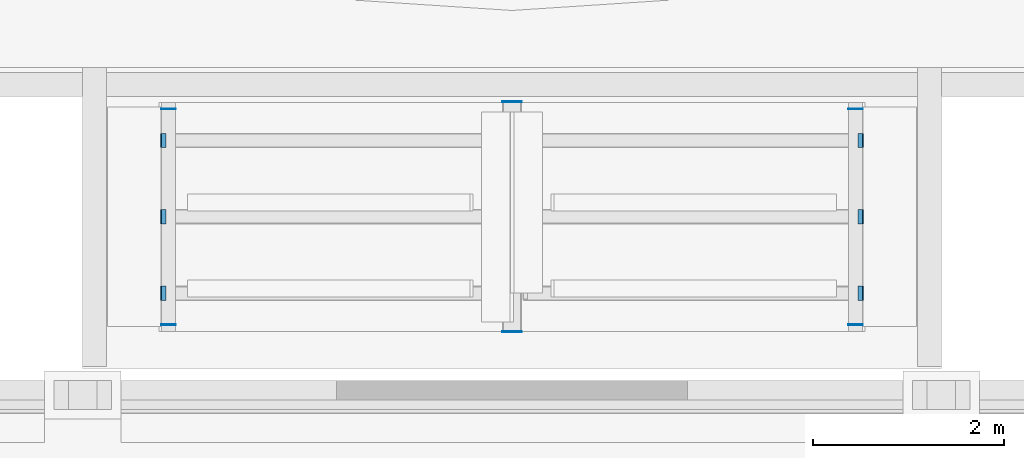
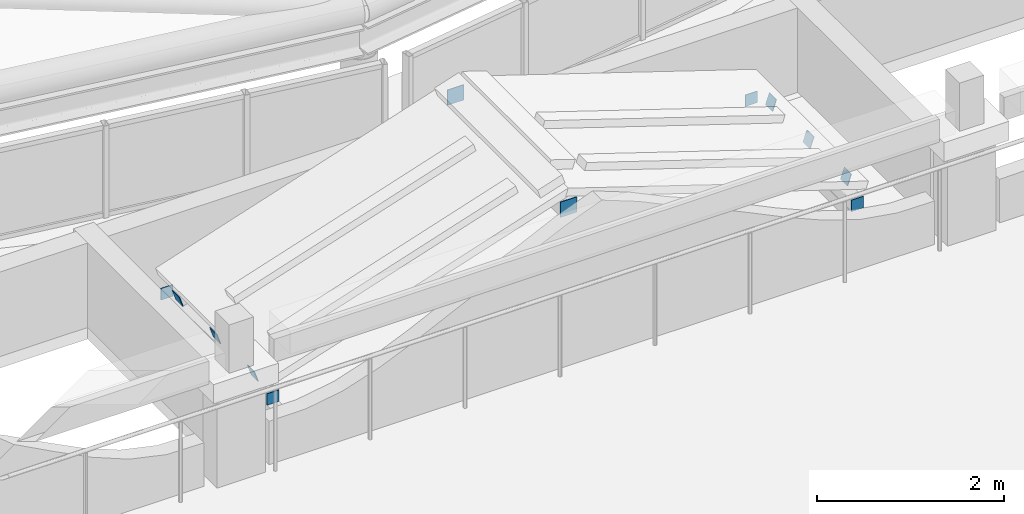
# One storey, part 60 of 69: 12 discrete accessories.
"""IFC4 building model written with IfcOpenShell, lengths in metres."""

import ifcopenshell
import ifcopenshell.guid

model = None  # the IFC model being written
_history = None  # IfcOwnerHistory: only IFC2X3 demands one
_inside = {}  # id of a spatial element -> (the spatial element, [elements in it])
_under = {}  # id of a project, library or spatial element -> (it, [spatial elements below it])
_declared = {}  # id of a project -> (the project, [libraries it declares])
_typed = {}  # id of a type object -> (the type object, [elements of that type])
_made_of = {}  # id of a material, layer set ... -> (it, [elements and type objects made of it])


def new_model(schema):
    """Start an empty IFC model of exactly this schema.

    Asked for "IFC4X3", IfcOpenShell would pick the latest addendum, in which some entities
    have other attributes; the version numbers below select the first issue.
    IFC2X3 requires an IfcOwnerHistory on every rooted entity: one is made here for all.
    """
    global model, _history
    if schema == "IFC4X3":
        model = ifcopenshell.file(schema_version=(4, 3, 0, 0))
    else:
        model = ifcopenshell.file(schema=schema)
    _inside.clear()
    _under.clear()
    _declared.clear()
    _typed.clear()
    _made_of.clear()
    _history = None
    if model.schema == "IFC2X3":
        org = make("IfcOrganization", Name="unknown")
        user = make(
            "IfcPersonAndOrganization",
            ThePerson=make("IfcPerson", FamilyName="unknown"),
            TheOrganization=org,
        )
        app = make(
            "IfcApplication",
            ApplicationDeveloper=org,
            Version="unknown",
            ApplicationFullName="unknown",
            ApplicationIdentifier="unknown",
        )
        _history = make(
            "IfcOwnerHistory",
            OwningUser=user,
            OwningApplication=app,
            ChangeAction="ADDED",
            CreationDate=0,
        )
    return model


def make(cls, **values):
    """One entity of the class cls with the attributes given. An attribute that is None is left unset."""
    return model.create_entity(
        cls, **{name: value for name, value in values.items() if value is not None}
    )


def rooted(cls, **values):
    """An entity with a GlobalId (a new one), such as an element, a storey or a relation."""
    return make(cls, GlobalId=ifcopenshell.guid.new(), OwnerHistory=_history, **values)


def si_unit(unit_type, name, prefix=None):
    """IfcSIUnit, for example si_unit("LENGTHUNIT", "METRE", prefix="MILLI")."""
    return make("IfcSIUnit", UnitType=unit_type, Prefix=prefix, Name=name)


def assignment(units):
    """IfcUnitAssignment: the units of a project."""
    return None if units is None else make("IfcUnitAssignment", Units=units)


def point(xyz):
    """IfcCartesianPoint."""
    return None if xyz is None else make("IfcCartesianPoint", Coordinates=xyz)


def direction(xyz):
    """IfcDirection."""
    return None if xyz is None else make("IfcDirection", DirectionRatios=xyz)


def frame(location, z_axis=None, x_axis=None):
    """IfcAxis2Placement3D, a coordinate frame: its origin and axes. An axis left out is left unset."""
    return make(
        "IfcAxis2Placement3D",
        Location=point(location),
        Axis=direction(z_axis),
        RefDirection=direction(x_axis),
    )


def frame_2d(location, x_axis=None):
    """IfcAxis2Placement2D, a coordinate frame in the plane: its origin and x axis."""
    return make(
        "IfcAxis2Placement2D", Location=point(location), RefDirection=direction(x_axis)
    )


def origin():
    """The frame at (0, 0, 0) with its axes left unset."""
    return frame((0.0, 0.0, 0.0))


def origin_2d():
    """The frame at (0, 0) in the plane with its x axis left unset."""
    return frame_2d((0.0, 0.0))


def place(relative_to, where):
    """IfcLocalPlacement: puts the frame where relative to a parent placement (None: the world)."""
    return make(
        "IfcLocalPlacement", PlacementRelTo=relative_to, RelativePlacement=where
    )


def context(
    kind, dimensions, precision=None, world=None, true_north=None, identifier=None
):
    """IfcGeometricRepresentationContext, for example the 3D "Model" context."""
    return make(
        "IfcGeometricRepresentationContext",
        ContextIdentifier=identifier,
        ContextType=kind,
        CoordinateSpaceDimension=dimensions,
        Precision=precision,
        WorldCoordinateSystem=world,
        TrueNorth=true_north,
    )


def subcontext(parent, identifier, kind, view, scale=None):
    """IfcGeometricRepresentationSubContext, for example "Body" below "Model"."""
    return make(
        "IfcGeometricRepresentationSubContext",
        ContextIdentifier=identifier,
        ContextType=kind,
        ParentContext=parent,
        TargetScale=scale,
        TargetView=view,
    )


def project(units=None, contexts=None):
    """IfcProject with its units and contexts."""
    return rooted(
        "IfcProject",
        Name="project",
        RepresentationContexts=contexts,
        UnitsInContext=assignment(units),
    )


def spatial(cls, under=None, at=None, **own):
    """A site, building, storey or space (cls), placed at a placement, below another one or the project."""
    s = rooted(cls, ObjectPlacement=at, **own)
    if under is not None:
        _under.setdefault(under.id(), (under, []))[1].append(s)
    return s


def profile(cls, at=None, kind="AREA", **sizes):
    """A parametric profile (cls). Its sizes go by their IFC names, for example OverallWidth=200.0."""
    return make(cls, ProfileType=kind, Position=at, **sizes)


def rectangle(**sizes):
    """IfcRectangleProfileDef."""
    return profile("IfcRectangleProfileDef", **sizes)


def extrude(swept, where, along, depth):
    """IfcExtrudedAreaSolid: the profile swept, set in the frame where, extruded along a direction by depth."""
    return make(
        "IfcExtrudedAreaSolid",
        SweptArea=swept,
        Position=where,
        ExtrudedDirection=direction(along),
        Depth=depth,
    )


def shape(context_of_items, identifier, shape_type, items):
    """IfcShapeRepresentation: the items that make up one representation, for example the "Body"."""
    return make(
        "IfcShapeRepresentation",
        ContextOfItems=context_of_items,
        RepresentationIdentifier=identifier,
        RepresentationType=shape_type,
        Items=items,
    )


def material(Name=None, Category=None):
    """IfcMaterial."""
    return make("IfcMaterial", Name=Name, Category=Category)


def material_profile(
    of_material, cross_section, Name=None, Category=None, Priority=None
):
    """IfcMaterialProfile: a cross section and its material."""
    return make(
        "IfcMaterialProfile",
        Name=Name,
        Material=of_material,
        Profile=cross_section,
        Priority=Priority,
        Category=Category,
    )


def profile_set(profiles, Name=None, composite=None):
    """IfcMaterialProfileSet."""
    return make(
        "IfcMaterialProfileSet",
        Name=Name,
        MaterialProfiles=profiles,
        CompositeProfile=composite,
    )


def made_of(thing, what):
    """Note that an element or type object is made of a material, layer set ...; save() writes the relation."""
    if what is not None:
        _made_of.setdefault(what.id(), (what, []))[1].append(thing)
    return thing


def type_object(cls, material=None, **own):
    """A type object (cls), such as IfcWallType, which elements share."""
    return made_of(rooted(cls, **own), material)


def element(
    cls,
    number,
    at=None,
    inside=None,
    cuts=None,
    type_object=None,
    material=None,
    context=None,
    identifier="Body",
    shape_type=None,
    held_by="IfcProductDefinitionShape",
    body=None,
    shapes=None,
    **own,
):
    """One element of the class cls, such as IfcWall. Its Tag is "e" and its number.

    at: its placement. inside: the storey or other place that contains it. cuts: it is an
    opening in that element (IfcRelVoidsElement). A single representation is given by context,
    identifier, shape_type and body (its items); several are given by shapes. held_by: the class
    of the entity that holds the representations. save() writes the other relations.
    """
    e = rooted(cls, Tag="e%d" % number, ObjectPlacement=at, **own)
    if body is not None:
        shapes = [shape(context, identifier, shape_type, body)]
    if shapes is not None:
        e.Representation = make(held_by, Representations=shapes)
    if inside is not None:
        _inside.setdefault(inside.id(), (inside, []))[1].append(e)
    if cuts is not None:
        rooted(
            "IfcRelVoidsElement", RelatingBuildingElement=cuts, RelatedOpeningElement=e
        )
    if type_object is not None:
        _typed.setdefault(type_object.id(), (type_object, []))[1].append(e)
    return made_of(e, material)


def aggregate(whole, parts):
    """IfcRelAggregates: a whole, such as a stair, and the parts it consists of."""
    return rooted("IfcRelAggregates", RelatingObject=whole, RelatedObjects=parts)


def save(model, path):
    """Write the relations noted so far, then the file.

    IfcRelAggregates (storeys below a building ...), IfcRelContainedInSpatialStructure (elements
    in a storey), IfcRelDefinesByType, IfcRelAssociatesMaterial and IfcRelDeclares: one each for
    every whole, place, type object, material and project.
    """
    for whole, parts in _under.values():
        aggregate(whole, parts)
    for where, things in _inside.values():
        rooted(
            "IfcRelContainedInSpatialStructure",
            RelatedElements=things,
            RelatingStructure=where,
        )
    for kind, things in _typed.values():
        rooted("IfcRelDefinesByType", RelatedObjects=things, RelatingType=kind)
    for what, things in _made_of.values():
        rooted("IfcRelAssociatesMaterial", RelatedObjects=things, RelatingMaterial=what)
    for by, libraries in _declared.values():
        rooted("IfcRelDeclares", RelatingContext=by, RelatedDefinitions=libraries)
    model.write(path)


model = new_model("IFC4")

# Units and contexts
model_context = context("Model", 3, precision=1e-05, world=origin(), true_north=direction((0.0, 1.0)))
body_context = subcontext(model_context, "Body", "Model", "MODEL_VIEW")
ifc_project = project(units=[si_unit("LENGTHUNIT", "METRE"), si_unit("AREAUNIT", "SQUARE_METRE"), si_unit("VOLUMEUNIT", "CUBIC_METRE"), si_unit("PLANEANGLEUNIT", "RADIAN"), si_unit("MASSUNIT", "GRAM", prefix="KILO")], contexts=[model_context])

# Site, building, storey
site_placement = place(None, origin())
site = spatial("IfcSite", under=ifc_project, at=site_placement, CompositionType="ELEMENT")
building_placement = place(site_placement, origin())
building = spatial("IfcBuilding", under=site, at=building_placement, Name="Kallimachos Central Library", CompositionType="ELEMENT")
storey_placement = place(building_placement, frame((0.0, 0.0, 23.39990234375)))
storey = spatial("IfcBuildingStorey", under=building, at=storey_placement, Name="L05", CompositionType="ELEMENT", Elevation=23.39990234375)

# Discrete accessories
ifc_material_1 = material(Name="Steel S355J2", Category="steel")
ifc_material_profile_1 = material_profile(ifc_material_1, rectangle(XDim=0.14990234375, YDim=0.14990234375, at=origin_2d()), Name="End cap plate 10, 150x150")
ifc_profile_set_1 = profile_set([ifc_material_profile_1], Name="Steel S355J2")
discrete_accessory_type_1 = type_object("IfcDiscreteAccessoryType", Name="End cap plate 10, 150x150", PredefinedType="BRACKET", material=ifc_profile_set_1)
for number, where, z_axis, x_axis, name in (
    (1, (84.39990234375, 84.6025390625, 0.22509765625), (0.0, 1.0, 0.0), (-1.0, 0.0, 0.0), "End cap plate"),
    (2, (84.39990234375, 86.862548828125, 0.22509765625), (0.0, 1.0, 0.0), (-1.0, 0.0, 0.0), "End cap plate"),
    (3, (91.60009765625, 84.6025390625, 0.22509765625), (0.0, 1.0, 0.0), (-1.0, 0.0, 0.0), "End cap plate"),
    (4, (91.60009765625, 86.862548828125, 0.22509765625), (0.0, 1.0, 0.0), (-1.0, 0.0, 0.0), "End cap plate"),
    (5, (84.340576171875, 84.9375, 0.359619140625), (0.948683298051, 0.0, 0.316227766017), (0.0, 1.0, 0.0), "End cap plate"),
    (6, (84.340576171875, 85.737548828125, 0.359619140625), (0.948683298051, 0.0, 0.316227766017), (0.0, 1.0, 0.0), "End cap plate"),
    (7, (84.340576171875, 86.53759765625, 0.359619140625), (0.948683298051, 0.0, 0.316227766017), (0.0, 1.0, 0.0), "End cap plate"),
    (8, (91.659423828125, 84.9375, 0.359619140625), (-0.948683298051, 0.0, 0.316227766017), (0.0, -1.0, 0.0), "End cap plate"),
    (9, (91.659423828125, 85.737548828125, 0.359619140625), (-0.948683298051, 0.0, 0.316227766017), (0.0, -1.0, 0.0), "End cap plate"),
    (10, (91.659423828125, 86.53759765625, 0.359619140625), (-0.948683298051, 0.0, 0.316227766017), (0.0, -1.0, 0.0), "End cap plate"),
):
    element("IfcDiscreteAccessory", number, at=place(storey_placement, frame(where, z_axis=z_axis, x_axis=x_axis)), inside=storey, type_object=discrete_accessory_type_1, Name=name, PredefinedType="BRACKET", context=body_context, shape_type="SweptSolid", body=[
        extrude(rectangle(XDim=0.14990234375, YDim=0.14990234375, at=origin_2d()), origin(), (0.0, 0.0, 1.0), 0.010009765625),
    ])
ifc_material_2 = material(Name="Steel S355J2", Category="steel")
ifc_material_profile_2 = material_profile(ifc_material_2, rectangle(XDim=0.199951171875, YDim=0.199951171875, at=origin_2d()), Name="End cap plate 10, 200x200")
ifc_profile_set_2 = profile_set([ifc_material_profile_2], Name="Steel S355J2")
discrete_accessory_type_2 = type_object("IfcDiscreteAccessoryType", Name="End cap plate 10, 200x200", PredefinedType="BRACKET", material=ifc_profile_set_2)
for number, where, z_axis, x_axis, name in (
    (11, (88.0, 84.527587890625, 1.490234375), (0.0, 1.0, 0.0), (-1.0, 0.0, 0.0), "End cap plate"),
    (12, (88.0, 86.9375, 1.490234375), (0.0, 1.0, 0.0), (-1.0, 0.0, 0.0), "End cap plate"),
):
    element("IfcDiscreteAccessory", number, at=place(storey_placement, frame(where, z_axis=z_axis, x_axis=x_axis)), inside=storey, type_object=discrete_accessory_type_2, Name=name, PredefinedType="BRACKET", context=body_context, shape_type="SweptSolid", body=[
        extrude(rectangle(XDim=0.199951171875, YDim=0.199951171875, at=origin_2d()), origin(), (0.0, 0.0, 1.0), 0.010009765625),
    ])

save(model, "model.ifc")
